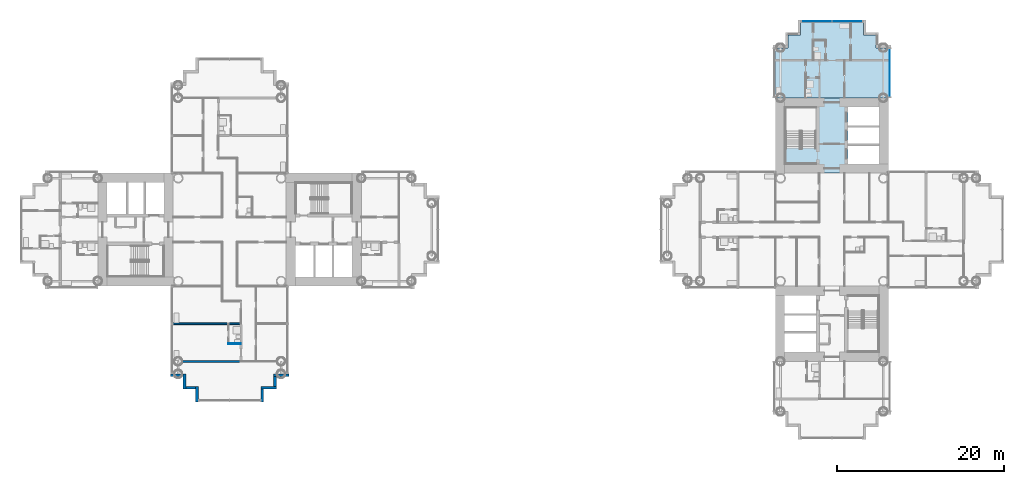
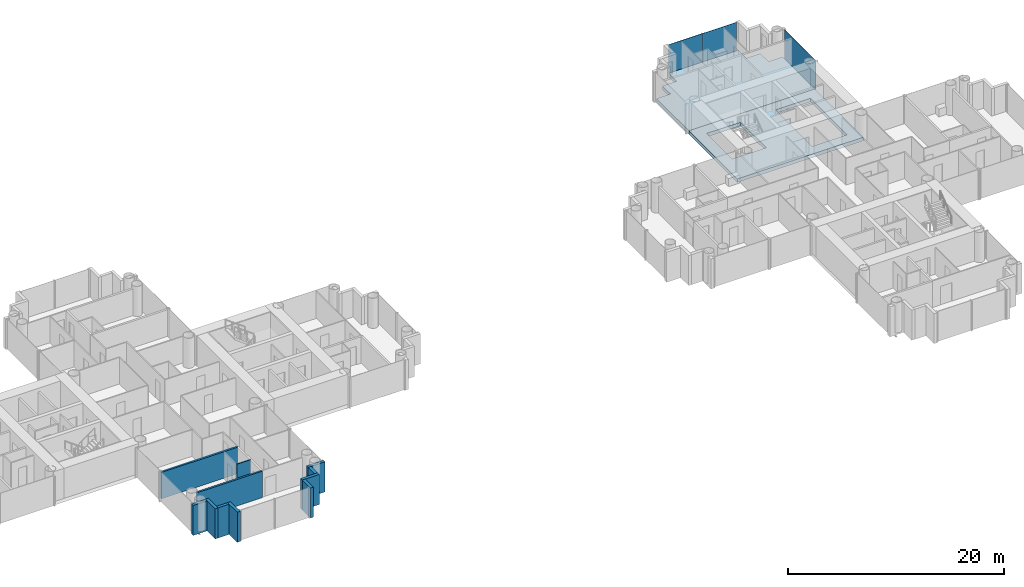
# One storey, part 8 of 21: 11 walls, 3 plates, 2 slabs, 2 elements without a shape of their own.
"""IFC4 building model written with IfcOpenShell, lengths in metres."""

from ifc_helpers import new_model, si_unit, direction, frame, frame_2d, origin, origin_2d, place, context, subcontext, project, spatial, polyline, rectangle, outline, extrude, material, layer, layer_set, type_object, element, aggregate, save


model = new_model("IFC4")

# Units and contexts
model_context = context("Model", 3, precision=1e-05, world=origin(), true_north=direction((0.0, 1.0)))
body_context = subcontext(model_context, "Body", "Model", "MODEL_VIEW")
ifc_project = project(units=[si_unit("LENGTHUNIT", "METRE"), si_unit("AREAUNIT", "SQUARE_METRE"), si_unit("VOLUMEUNIT", "CUBIC_METRE"), si_unit("PLANEANGLEUNIT", "RADIAN"), si_unit("MASSUNIT", "GRAM", prefix="KILO")], contexts=[model_context])

# Site, building, storey
site_placement = place(None, origin())
site = spatial("IfcSite", under=ifc_project, at=site_placement, CompositionType="ELEMENT")
building_placement = place(site_placement, origin())
building = spatial("IfcBuilding", under=site, at=building_placement, Name="Ipe Terrace Towers", CompositionType="ELEMENT")
storey_placement = place(building_placement, frame((0.0, 0.0, 41.5)))
storey = spatial("IfcBuildingStorey", under=building, at=storey_placement, Name="L10", CompositionType="ELEMENT", Elevation=41.5)

# Slabs
ifc_material_1 = material(Name="Concrete C30/37", Category="concrete")
ifc_layer_1 = layer(ifc_material_1, 0.39990234375)
ifc_layer_set_1 = layer_set([ifc_layer_1], Name="CORE FLOOR SLAB 400 C30-37")
slab_type_1 = type_object("IfcSlabType", Name="CORE FLOOR SLAB 400 C30-37", PredefinedType="FLOOR", material=ifc_layer_set_1)
slab_1_placement = place(storey_placement, frame((0.0, 0.0, -0.39990234375)))
element("IfcSlab", 1, at=slab_1_placement, inside=storey, type_object=slab_type_1, Name="Core floor T2-C1", PredefinedType="FLOOR", context=body_context, shape_type="SweptSolid", body=[
    extrude(outline(polyline([(29.25, 6.75), (29.25, 15.75), (42.75, 15.75), (42.75, 6.75), (29.25, 6.75)]), holes=[polyline([(41.64990234375, 7.85009765625), (41.64990234375, 14.64990234375), (37.89990234375, 14.64990234375), (37.89990234375, 7.85009765625), (41.64990234375, 7.85009765625)]), polyline([(30.449951171875, 9.800048828125), (34.10009765625, 9.800048828125), (34.10009765625, 14.550048828125), (30.449951171875, 14.550048828125), (30.449951171875, 9.800048828125)])]), origin(), (0.0, 0.0, 1.0), 0.39990234375),
])
ifc_material_2 = material(Name="Concrete C40/50", Category="concrete")
ifc_layer_2 = layer(ifc_material_2, 0.39990234375)
ifc_layer_set_2 = layer_set([ifc_layer_2], Name="FLAT PLATE SLAB 400 C40-50")
slab_type_2 = type_object("IfcSlabType", Name="FLAT PLATE SLAB 400 C40-50", PredefinedType="FLOOR", material=ifc_layer_set_2)
slab_2_placement = place(storey_placement, frame((0.0, 0.0, -0.39990234375)))
element("IfcSlab", 2, at=slab_2_placement, inside=storey, type_object=slab_type_2, Name="Slab T2-FS-Z13", PredefinedType="FLOOR", context=body_context, shape_type="SweptSolid", body=[
    extrude(outline(polyline([(30.75, 21.75), (30.75, 23.25), (32.25, 23.25), (32.25, 24.75), (39.75, 24.75), (39.75, 23.25), (41.25, 23.25), (41.25, 21.75), (42.75, 21.75), (42.75, 15.75), (29.25, 15.75), (29.25, 21.75), (30.75, 21.75)])), origin(), (0.0, 0.0, 1.0), 0.39990234375),
])

# Curtain wall, plate
ifc_material_3 = material(Name="Aluminium alloy 6063-T6", Category="aluminium")
ifc_layer_3 = layer(ifc_material_3, 0.320068359375)
ifc_layer_set_3 = layer_set([ifc_layer_3], Name="TOWER UNITISED CURTAIN WALL")
curtain_wall_type = type_object("IfcCurtainWallType", Name="TOWER UNITISED CURTAIN WALL", PredefinedType="NOTDEFINED", material=ifc_layer_set_3)
curtain_wall_1_placement = place(storey_placement, origin())
curtain_wall_1 = element("IfcCurtainWall", 3, at=curtain_wall_1_placement, inside=storey, type_object=curtain_wall_type, Name="T2-CW-L10-20b curtain wall", PredefinedType="NOTDEFINED")
ifc_material_4 = material(Name="Glass, clear laminated", Category="glass")
ifc_layer_4 = layer(ifc_material_4, 0.031982421875)
ifc_layer_set_4 = layer_set([ifc_layer_4], Name="TOWER UNITISED GLASS PANEL 32")
plate_type = type_object("IfcPlateType", Name="TOWER UNITISED GLASS PANEL 32", PredefinedType="CURTAIN_PANEL", material=ifc_layer_set_4)
plate_1_placement = place(storey_placement, frame((42.909912109375, 18.75048828125, -0.300048828125), z_axis=(0.0, 0.0, 1.0), x_axis=(0.0, 1.0, 0.0)))
plate_1 = element("IfcPlate", 4, at=plate_1_placement, type_object=plate_type, Name="T2-CW-L10-20b panel 1", PredefinedType="CURTAIN_PANEL", context=body_context, shape_type="SweptSolid", body=[
    extrude(rectangle(XDim=5.759033203125, YDim=0.031982421875, at=origin_2d()), origin(), (0.0, 0.0, 1.0), 3.39990234375),
])
aggregate(curtain_wall_1, [plate_1])

# Curtain wall, plates
curtain_wall_2_placement = place(storey_placement, origin())
curtain_wall_2 = element("IfcCurtainWall", 5, at=curtain_wall_2_placement, inside=storey, type_object=curtain_wall_type, Name="T2-CW-L10-25a curtain wall", PredefinedType="NOTDEFINED")
plate_2_placement = place(storey_placement, frame((37.831298828125, 24.909912109375, -0.300048828125), z_axis=(0.0, 0.0, 1.0), x_axis=(-1.0, 0.0, 0.0)))
plate_2 = element("IfcPlate", 6, at=plate_2_placement, type_object=plate_type, Name="T2-CW-L10-25a panel 1", PredefinedType="CURTAIN_PANEL", context=body_context, shape_type="SweptSolid", body=[
    extrude(rectangle(XDim=3.597412109375, YDim=0.031982421875, at=origin_2d()), origin(), (0.0, 0.0, 1.0), 3.39990234375),
])
plate_3_placement = place(storey_placement, frame((34.168701171875, 24.909912109375, -0.300048828125), z_axis=(0.0, 0.0, 1.0), x_axis=(-1.0, 0.0, 0.0)))
plate_3 = element("IfcPlate", 7, at=plate_3_placement, type_object=plate_type, Name="T2-CW-L10-25a panel 2", PredefinedType="CURTAIN_PANEL", context=body_context, shape_type="SweptSolid", body=[
    extrude(rectangle(XDim=3.597412109375, YDim=0.031982421875, at=origin_2d()), origin(), (0.0, 0.0, 1.0), 3.39990234375),
])
aggregate(curtain_wall_2, [plate_2, plate_3])

# Walls
ifc_material_5 = material(Name="Concrete C40/50 with buff precast cladding", Category="concrete")
ifc_layer_5 = layer(ifc_material_5, 0.320068359375)
ifc_layer_set_5 = layer_set([ifc_layer_5], Name="BUFF CLADDING WALL 320")
wall_type_1 = type_object("IfcWallType", Name="BUFF CLADDING WALL 320", PredefinedType="STANDARD", material=ifc_layer_set_5)
wall_1_placement = place(storey_placement, frame((-43.070068359375, -17.409912109375, -0.300048828125), z_axis=(0.0, 0.0, 1.0), x_axis=(1.0, 0.0, 0.0)))
element("IfcWall", 8, at=wall_1_placement, inside=storey, type_object=wall_type_1, Name="T1-W-L10-08a wall", PredefinedType="STANDARD", context=body_context, shape_type="SweptSolid", body=[
    extrude(rectangle(XDim=1.5, YDim=0.320068359375, at=frame_2d((0.75, 0.0))), origin(), (0.0, 0.0, 1.0), 3.400146484375),
])
wall_2_placement = place(storey_placement, frame((-41.409912109375, -17.25, -0.300048828125), z_axis=(0.0, 0.0, 1.0), x_axis=(0.0, -1.0, 0.0)))
element("IfcWall", 9, at=wall_2_placement, inside=storey, type_object=wall_type_1, Name="T1-W-L10-09a wall", PredefinedType="STANDARD", context=body_context, shape_type="SweptSolid", body=[
    extrude(rectangle(XDim=1.820068359375, YDim=0.320068359375, at=frame_2d((0.91015625, 0.0))), origin(), (0.0, 0.0, 1.0), 3.400146484375),
])
wall_3_placement = place(storey_placement, frame((-41.25, -18.909912109375, -0.300048828125), z_axis=(0.0, 0.0, 1.0), x_axis=(1.0, 0.0, 0.0)))
element("IfcWall", 10, at=wall_3_placement, inside=storey, type_object=wall_type_1, Name="T1-W-L10-10a wall", PredefinedType="STANDARD", context=body_context, shape_type="SweptSolid", body=[
    extrude(rectangle(XDim=1.179931640625, YDim=0.320068359375, at=frame_2d((0.58984375, 0.0))), origin(), (0.0, 0.0, 1.0), 3.400146484375),
])
wall_4_placement = place(storey_placement, frame((-39.909912109375, -18.75, -0.300048828125), z_axis=(0.0, 0.0, 1.0), x_axis=(0.0, -1.0, 0.0)))
element("IfcWall", 11, at=wall_4_placement, inside=storey, type_object=wall_type_1, Name="T1-W-L10-11a wall", PredefinedType="STANDARD", context=body_context, shape_type="SweptSolid", body=[
    extrude(rectangle(XDim=1.820068359375, YDim=0.320068359375, at=frame_2d((0.91015625, 0.0))), origin(), (0.0, 0.0, 1.0), 3.400146484375),
])
wall_5_placement = place(storey_placement, frame((-32.090087890625, -20.570068359375, -0.300048828125), z_axis=(0.0, 0.0, 1.0), x_axis=(0.0, 1.0, 0.0)))
element("IfcWall", 12, at=wall_5_placement, inside=storey, type_object=wall_type_1, Name="T1-W-L10-13a wall", PredefinedType="STANDARD", context=body_context, shape_type="SweptSolid", body=[
    extrude(rectangle(XDim=1.5, YDim=0.320068359375, at=frame_2d((0.75, 0.0))), origin(), (0.0, 0.0, 1.0), 3.400146484375),
])
wall_6_placement = place(storey_placement, frame((-32.25, -18.909912109375, -0.300048828125), z_axis=(0.0, 0.0, 1.0), x_axis=(1.0, 0.0, 0.0)))
element("IfcWall", 13, at=wall_6_placement, inside=storey, type_object=wall_type_1, Name="T1-W-L10-14a wall", PredefinedType="STANDARD", context=body_context, shape_type="SweptSolid", body=[
    extrude(rectangle(XDim=1.820068359375, YDim=0.320068359375, at=frame_2d((0.91015625, 0.0))), origin(), (0.0, 0.0, 1.0), 3.400146484375),
])
wall_7_placement = place(storey_placement, frame((-30.590087890625, -18.75, -0.300048828125), z_axis=(0.0, 0.0, 1.0), x_axis=(0.0, 1.0, 0.0)))
element("IfcWall", 14, at=wall_7_placement, inside=storey, type_object=wall_type_1, Name="T1-W-L10-15a wall", PredefinedType="STANDARD", context=body_context, shape_type="SweptSolid", body=[
    extrude(rectangle(XDim=1.179931640625, YDim=0.320068359375, at=frame_2d((0.58984375, 0.0))), origin(), (0.0, 0.0, 1.0), 3.400146484375),
])
wall_8_placement = place(storey_placement, frame((-30.75, -17.409912109375, -0.300048828125), z_axis=(0.0, 0.0, 1.0), x_axis=(1.0, 0.0, 0.0)))
element("IfcWall", 15, at=wall_8_placement, inside=storey, type_object=wall_type_1, Name="T1-W-L10-16a wall", PredefinedType="STANDARD", context=body_context, shape_type="SweptSolid", body=[
    extrude(rectangle(XDim=1.820068359375, YDim=0.320068359375, at=frame_2d((0.91015625, 0.0))), origin(), (0.0, 0.0, 1.0), 3.400146484375),
])
ifc_material_6 = material(Name="Gypsum board partition", Category="plasterboard")
ifc_layer_6 = layer(ifc_material_6, 0.10009765625)
ifc_layer_set_6 = layer_set([ifc_layer_6], Name="Gypsum board partition 100 mm")
wall_type_2 = type_object("IfcWallType", Name="Gypsum board partition 100 mm", PredefinedType="PARTITIONING", material=ifc_layer_set_6)
wall_9_placement = place(storey_placement, frame((-36.14990234375, -13.64990234375, 0.0), z_axis=(0.0, 0.0, 1.0), x_axis=(1.0, 0.0, 0.0)))
element("IfcWall", 16, at=wall_9_placement, inside=storey, type_object=wall_type_2, Name="Gypsum board partition T1 L10 W23", PredefinedType="PARTITIONING", context=body_context, shape_type="SweptSolid", body=[
    extrude(rectangle(XDim=1.5, YDim=0.10009765625, at=frame_2d((0.75, 0.0))), origin(), (0.0, 0.0, 1.0), 3.0),
])
ifc_material_7 = material(Name="Gypsum board party wall", Category="plasterboard")
ifc_layer_7 = layer(ifc_material_7, 0.199951171875)
ifc_layer_set_7 = layer_set([ifc_layer_7], Name="Gypsum board party wall 200 mm")
wall_type_3 = type_object("IfcWallType", Name="Gypsum board party wall 200 mm", PredefinedType="SOLIDWALL", material=ifc_layer_set_7)
wall_10_placement = place(storey_placement, frame((-41.64990234375, -15.75, 0.0), z_axis=(0.0, 0.0, 1.0), x_axis=(1.0, 0.0, 0.0)))
element("IfcWall", 17, at=wall_10_placement, inside=storey, type_object=wall_type_3, Name="Gypsum board party wall T1 L10 W22", PredefinedType="SOLIDWALL", context=body_context, shape_type="SweptSolid", body=[
    extrude(rectangle(XDim=7.0, YDim=0.199951171875, at=frame_2d((3.5, 0.0))), origin(), (0.0, 0.0, 1.0), 3.0),
])
wall_11_placement = place(storey_placement, frame((-42.85009765625, -11.25, 0.0), z_axis=(0.0, 0.0, 1.0), x_axis=(1.0, 0.0, 0.0)))
element("IfcWall", 18, at=wall_11_placement, inside=storey, type_object=wall_type_3, Name="Gypsum board party wall T1 L10 W25", PredefinedType="SOLIDWALL", context=body_context, shape_type="SweptSolid", body=[
    extrude(rectangle(XDim=8.2001953125, YDim=0.199951171875, at=frame_2d((4.10009765625, 0.0))), origin(), (0.0, 0.0, 1.0), 3.0),
])

save(model, "model.ifc")
